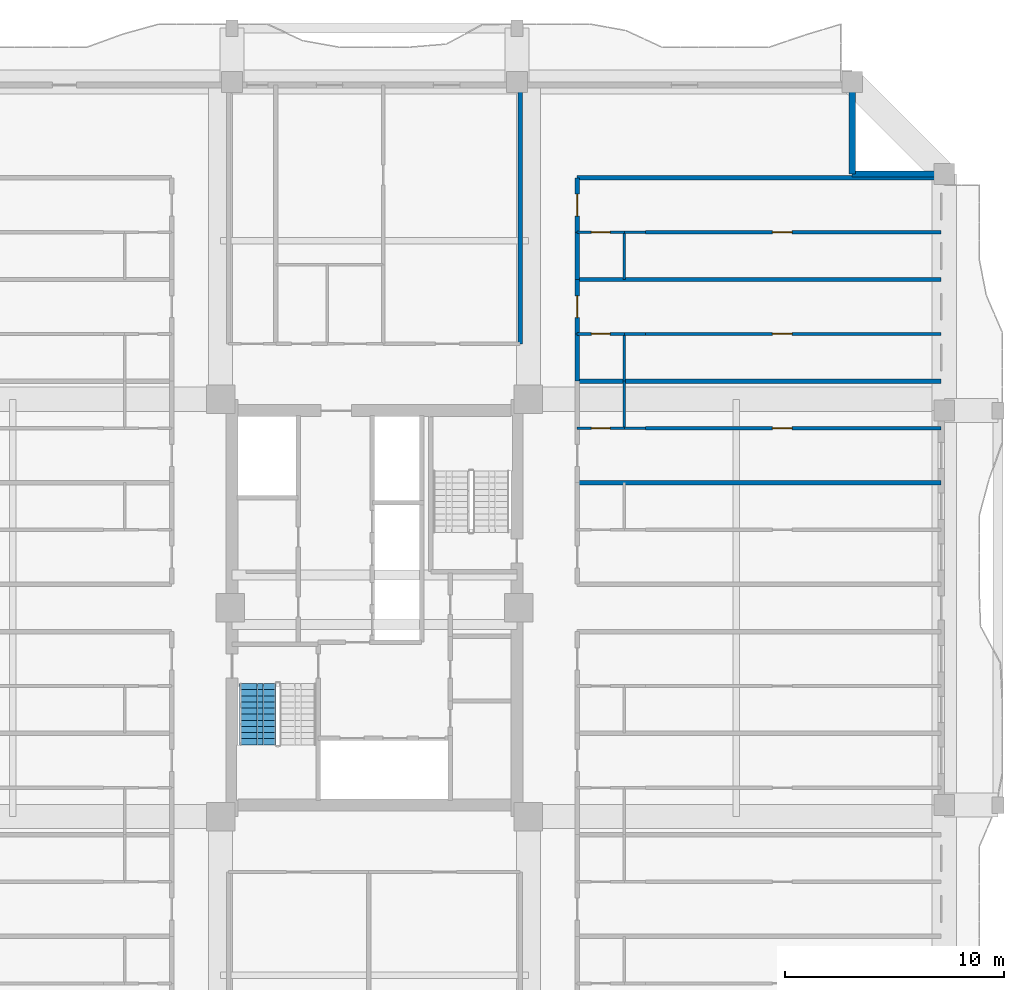
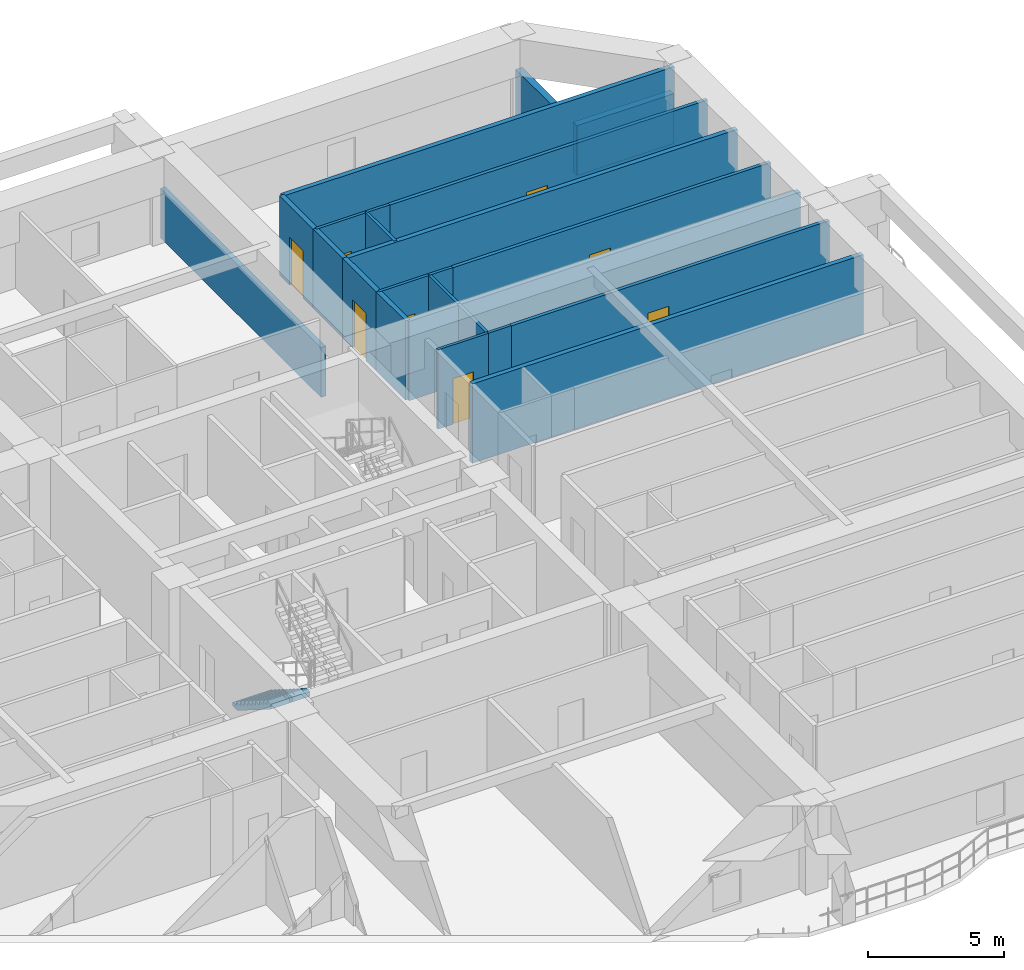
# One storey, part 8 of 13: 23 walls, 8 doors, 1 stair flight, 8 openings, 1 element without a shape of its own.
"""IFC4 building model written with IfcOpenShell, lengths in metres."""

from ifc_helpers import new_model, si_unit, direction, frame, frame_2d, origin, place, context, subcontext, project, spatial, polyline, rectangle, outline, extrude, source, transform, mapped, material, layer, layer_set, type_object, element, fill, aggregate, save


model = new_model("IFC4")

# Units and contexts
model_context = context("Model", 3, precision=1e-05, world=origin(), true_north=direction((0.0, 1.0)))
body_context = subcontext(model_context, "Body", "Model", "MODEL_VIEW")
ifc_project = project(units=[si_unit("LENGTHUNIT", "METRE"), si_unit("AREAUNIT", "SQUARE_METRE"), si_unit("VOLUMEUNIT", "CUBIC_METRE"), si_unit("PLANEANGLEUNIT", "RADIAN"), si_unit("MASSUNIT", "GRAM", prefix="KILO")], contexts=[model_context])

# Site, building, storey
site_placement = place(None, origin())
site = spatial("IfcSite", under=ifc_project, at=site_placement, CompositionType="ELEMENT")
building_placement = place(site_placement, origin())
building = spatial("IfcBuilding", under=site, at=building_placement, Name="Saelheon Loggia Tower", CompositionType="ELEMENT")
storey_placement = place(building_placement, frame((0.0, 0.0, 122.85009765625)))
storey = spatial("IfcBuildingStorey", under=building, at=storey_placement, Name="L39", CompositionType="ELEMENT", Elevation=122.85009765625)

# Walls
ifc_material_1 = material(Name="Architectural Precast Concrete C40/50", Category="concrete")
ifc_layer_1 = layer(ifc_material_1, 0.280029296875)
ifc_layer_set_1 = layer_set([ifc_layer_1], Name="Architectural Precast Concrete C40/50")
wall_type_1 = type_object("IfcWallType", Name="Wall_Ext_Loggia_280", PredefinedType="SOLIDWALL", material=ifc_layer_set_1)
for number, where, z_axis, x_axis, name in (
    (1, (59.800048828125, 46.800048828125, 0.0), (0.0, 0.0, 1.0), (0.0, 1.0, 0.0), "L39 Corner Notch Precast Wall NE1"),
    (2, (59.800048828125, 46.800048828125, 0.0), (0.0, 0.0, 1.0), (1.0, 0.0, 0.0), "L39 Corner Notch Precast Wall NE2"),
):
    element("IfcWall", number, at=place(storey_placement, frame(where, z_axis=z_axis, x_axis=x_axis)), inside=storey, type_object=wall_type_1, Name=name, PredefinedType="SOLIDWALL", context=body_context, shape_type="SweptSolid", body=[
        extrude(rectangle(XDim=4.119873046875, YDim=0.280029296875, at=frame_2d((2.06005859375, 0.0))), origin(), (0.0, 0.0, 1.0), 2.239990234375),
    ])

# Wall, opening, door
ifc_material_2 = material(Name="Lightweight Autoclaved Aerated Concrete Block and Acoustic Gypsum", Category="concrete")
ifc_layer_2 = layer(ifc_material_2, 0.14990234375)
ifc_layer_set_2 = layer_set([ifc_layer_2], Name="Lightweight Autoclaved Aerated Concrete Block and Acoustic Gypsum")
wall_type_2 = type_object("IfcWallType", Name="Wall_Part_150", PredefinedType="PARTITIONING", material=ifc_layer_set_2)
wall_1_placement = place(storey_placement, frame((50.3701171875, 35.199951171875, 0.0), z_axis=(0.0, 0.0, 1.0), x_axis=(1.0, 0.0, 0.0)))
wall_1 = element("IfcWall", 3, at=wall_1_placement, inside=storey, type_object=wall_type_2, Name="L39 EN Partition U15", PredefinedType="PARTITIONING", context=body_context, shape_type="SweptSolid", body=[
    extrude(rectangle(XDim=13.47998046875, YDim=0.14990234375, at=frame_2d((6.739990234375, 0.0))), origin(), (0.0, 0.0, 1.0), 3.559814453125),
])
opening_1_placement = place(wall_1_placement, frame((5.785888671875, 0.0, 0.0)))
opening_1 = element("IfcOpeningElement", 4, at=opening_1_placement, cuts=wall_1, Name="Opening D-IN2", PredefinedType="OPENING", context=body_context, shape_type="SweptSolid", body=[
    extrude(rectangle(XDim=0.89990234375, YDim=2.10009765625, at=frame_2d((0.449951171875, 1.050048828125))), frame((0.0, 0.0869140625, 0.0), z_axis=(0.0, -1.0, 0.0), x_axis=(1.0, 0.0, 0.0)), (0.0, 0.0, 1.0), 0.173828125),
])
ifc_material_3 = material(Name="Engineered Oak Flush Door", Category="timber")
door_type_1 = type_object("IfcDoorType", Name="Door_Int_900", OperationType="NOTDEFINED", PredefinedType="DOOR", material=ifc_material_3)
shared_shape_1 = source(origin(), body_context, "Body", "SweptSolid", [
    extrude(rectangle(XDim=0.89990234375, YDim=2.10009765625, at=frame_2d((0.449951171875, 1.050048828125))), frame((0.0, 0.02490234375, 0.0), z_axis=(0.0, -1.0, 0.0), x_axis=(1.0, 0.0, 0.0)), (0.0, 0.0, 1.0), 0.050048828125),
])
door_1_placement = place(opening_1_placement, origin())
door_1 = element("IfcDoor", 5, at=door_1_placement, inside=storey, type_object=door_type_1, Name="Unit U14 Kitchen Door", OperationType="SINGLE_SWING_LEFT", OverallHeight=2.10009765625, OverallWidth=0.89990234375, PredefinedType="DOOR", context=body_context, shape_type="MappedRepresentation", body=[
    mapped(shared_shape_1, transform((0.0, 0.0, 0.0), scale=1.0)),
])
fill(opening_1, door_1)

wall_2_placement = place(storey_placement, frame((50.3701171875, 39.5, 0.0), z_axis=(0.0, 0.0, 1.0), x_axis=(1.0, 0.0, 0.0)))
wall_2 = element("IfcWall", 6, at=wall_2_placement, inside=storey, type_object=wall_type_2, Name="L39 EN Partition U22", PredefinedType="PARTITIONING", context=body_context, shape_type="SweptSolid", body=[
    extrude(rectangle(XDim=13.47998046875, YDim=0.14990234375, at=frame_2d((6.739990234375, 0.0))), origin(), (0.0, 0.0, 1.0), 3.559814453125),
])
opening_2_placement = place(wall_2_placement, frame((5.785888671875, 0.0, 0.0)))
opening_2 = element("IfcOpeningElement", 7, at=opening_2_placement, cuts=wall_2, Name="Opening D-IN2", PredefinedType="OPENING", context=body_context, shape_type="SweptSolid", body=[
    extrude(rectangle(XDim=0.89990234375, YDim=2.10009765625, at=frame_2d((0.449951171875, 1.050048828125))), frame((0.0, 0.0869140625, 0.0), z_axis=(0.0, -1.0, 0.0), x_axis=(1.0, 0.0, 0.0)), (0.0, 0.0, 1.0), 0.173828125),
])
door_2_placement = place(opening_2_placement, origin())
door_2 = element("IfcDoor", 8, at=door_2_placement, inside=storey, type_object=door_type_1, Name="Unit U15 Kitchen Door", OperationType="SINGLE_SWING_RIGHT", OverallHeight=2.10009765625, OverallWidth=0.89990234375, PredefinedType="DOOR", context=body_context, shape_type="MappedRepresentation", body=[
    mapped(shared_shape_1, transform((0.0, 0.0, 0.0), scale=1.0)),
])
fill(opening_2, door_2)

wall_3_placement = place(storey_placement, frame((50.3701171875, 44.135009765625, 0.0), z_axis=(0.0, 0.0, 1.0), x_axis=(1.0, 0.0, 0.0)))
wall_3 = element("IfcWall", 9, at=wall_3_placement, inside=storey, type_object=wall_type_2, Name="L39 EN Partition U29", PredefinedType="PARTITIONING", context=body_context, shape_type="SweptSolid", body=[
    extrude(rectangle(XDim=13.47998046875, YDim=0.14990234375, at=frame_2d((6.739990234375, 0.0))), origin(), (0.0, 0.0, 1.0), 3.559814453125),
])
opening_3_placement = place(wall_3_placement, frame((5.785888671875, 0.0, 0.0)))
opening_3 = element("IfcOpeningElement", 10, at=opening_3_placement, cuts=wall_3, Name="Opening D-IN2", PredefinedType="OPENING", context=body_context, shape_type="SweptSolid", body=[
    extrude(rectangle(XDim=0.89990234375, YDim=2.10009765625, at=frame_2d((0.449951171875, 1.050048828125))), frame((0.0, 0.0869140625, 0.0), z_axis=(0.0, -1.0, 0.0), x_axis=(1.0, 0.0, 0.0)), (0.0, 0.0, 1.0), 0.173828125),
])
door_3_placement = place(opening_3_placement, origin())
door_3 = element("IfcDoor", 11, at=door_3_placement, inside=storey, type_object=door_type_1, Name="Unit U16 Kitchen Door", OperationType="SINGLE_SWING_LEFT", OverallHeight=2.10009765625, OverallWidth=0.89990234375, PredefinedType="DOOR", context=body_context, shape_type="MappedRepresentation", body=[
    mapped(shared_shape_1, transform((0.0, 0.0, 0.0), scale=1.0)),
])
fill(opening_3, door_3)

# Walls
ifc_material_4 = material(Name="Double Acoustic Stud and Fireboard Partition", Category="gypsum")
ifc_layer_3 = layer(ifc_material_4, 0.199951171875)
ifc_layer_set_3 = layer_set([ifc_layer_3], Name="Double Acoustic Stud and Fireboard Partition")
wall_type_3 = type_object("IfcWallType", Name="Wall_Party_200", PredefinedType="PARTITIONING", material=ifc_layer_set_3)
wall_4_placement = place(storey_placement, frame((44.64990234375, 39.050048828125, 0.0), z_axis=(0.0, 0.0, 1.0), x_axis=(0.0, 1.0, 0.0)))
element("IfcWall", 12, at=wall_4_placement, inside=storey, type_object=wall_type_3, Name="L39 N Partition U02", PredefinedType="PARTITIONING", context=body_context, shape_type="SweptSolid", body=[
    extrude(rectangle(XDim=11.800048828125, YDim=0.199951171875, at=frame_2d((5.89990234375, 0.0))), origin(), (0.0, 0.0, 1.0), 2.239990234375),
])
for number, where, z_axis, x_axis, name in (
    (13, (47.25, 46.6201171875, 0.0), (0.0, 0.0, 1.0), (1.0, 0.0, 0.0), "L39 EN Partition U02"),
    (14, (47.25, 32.715087890625, 0.0), (0.0, 0.0, 1.0), (1.0, 0.0, 0.0), "L39 EN Partition U09"),
    (15, (47.25, 37.35009765625, 0.0), (0.0, 0.0, 1.0), (1.0, 0.0, 0.0), "L39 EN Partition U16"),
):
    element("IfcWall", number, at=place(storey_placement, frame(where, z_axis=z_axis, x_axis=x_axis)), inside=storey, type_object=wall_type_3, Name=name, PredefinedType="PARTITIONING", context=body_context, shape_type="SweptSolid", body=[
        extrude(rectangle(XDim=16.60009765625, YDim=0.199951171875, at=frame_2d((8.300048828125, 0.0))), origin(), (0.0, 0.0, 1.0), 3.559814453125),
    ])
wall_5_placement = place(storey_placement, frame((47.25, 37.35009765625, 0.0), z_axis=(0.0, 0.0, 1.0), x_axis=(0.0, 1.0, 0.0)))
element("IfcWall", 16, at=wall_5_placement, inside=storey, type_object=wall_type_3, Name="L39 EN Partition V17", PredefinedType="PARTITIONING", context=body_context, shape_type="SweptSolid", body=[
    extrude(rectangle(XDim=2.14990234375, YDim=0.199951171875, at=frame_2d((1.074951171875, 0.0))), origin(), (0.0, 0.0, 1.0), 3.559814453125),
])

# Wall, opening, door
wall_6_placement = place(storey_placement, frame((47.25, 39.5, 0.0), z_axis=(0.0, 0.0, 1.0), x_axis=(0.0, 1.0, 0.0)))
wall_6 = element("IfcWall", 17, at=wall_6_placement, inside=storey, type_object=wall_type_3, Name="L39 EN Partition V18", PredefinedType="PARTITIONING", context=body_context, shape_type="SweptSolid", body=[
    extrude(rectangle(XDim=2.485107421875, YDim=0.199951171875, at=frame_2d((1.24267578125, 0.0))), origin(), (0.0, 0.0, 1.0), 3.559814453125),
])
opening_4_placement = place(wall_6_placement, frame((0.742431640625, 0.0, 0.0)))
opening_4 = element("IfcOpeningElement", 18, at=opening_4_placement, cuts=wall_6, Name="Opening D-FD1", PredefinedType="OPENING", context=body_context, shape_type="SweptSolid", body=[
    extrude(rectangle(XDim=1.0, YDim=2.14990234375, at=frame_2d((0.5, 1.074951171875))), frame((0.0, 0.112060546875, 0.0), z_axis=(0.0, -1.0, 0.0), x_axis=(1.0, 0.0, 0.0)), (0.0, 0.0, 1.0), 0.223876953125),
])
ifc_material_5 = material(Name="Fire-Rated Engineered Timber Entrance Door", Category="wood")
door_type_2 = type_object("IfcDoorType", Name="Door_Flat_FD30S", OperationType="NOTDEFINED", PredefinedType="DOOR", material=ifc_material_5)
shared_shape_2 = source(origin(), body_context, "Body", "SweptSolid", [
    extrude(rectangle(XDim=1.0, YDim=2.14990234375, at=frame_2d((0.5, 1.074951171875))), frame((0.0, 0.02490234375, 0.0), z_axis=(0.0, -1.0, 0.0), x_axis=(1.0, 0.0, 0.0)), (0.0, 0.0, 1.0), 0.050048828125),
])
door_4_placement = place(opening_4_placement, origin())
door_4 = element("IfcDoor", 19, at=door_4_placement, inside=storey, type_object=door_type_2, Name="Unit U15 Entrance Door", OperationType="SINGLE_SWING_RIGHT", OverallHeight=2.14990234375, OverallWidth=1.0, PredefinedType="DOOR", context=body_context, shape_type="MappedRepresentation", body=[
    mapped(shared_shape_2, transform((0.0, 0.0, 0.0), scale=1.0)),
])
fill(opening_4, door_4)

# Walls
wall_7_placement = place(storey_placement, frame((47.25, 41.985107421875, 0.0), z_axis=(0.0, 0.0, 1.0), x_axis=(1.0, 0.0, 0.0)))
element("IfcWall", 20, at=wall_7_placement, inside=storey, type_object=wall_type_3, Name="L39 EN Partition U23", PredefinedType="PARTITIONING", context=body_context, shape_type="SweptSolid", body=[
    extrude(rectangle(XDim=16.60009765625, YDim=0.199951171875, at=frame_2d((8.300048828125, 0.0))), origin(), (0.0, 0.0, 1.0), 3.559814453125),
])
wall_8_placement = place(storey_placement, frame((47.25, 41.985107421875, 0.0), z_axis=(0.0, 0.0, 1.0), x_axis=(0.0, 1.0, 0.0)))
element("IfcWall", 21, at=wall_8_placement, inside=storey, type_object=wall_type_3, Name="L39 EN Partition V24", PredefinedType="PARTITIONING", context=body_context, shape_type="SweptSolid", body=[
    extrude(rectangle(XDim=2.14990234375, YDim=0.199951171875, at=frame_2d((1.074951171875, 0.0))), origin(), (0.0, 0.0, 1.0), 3.559814453125),
])

# Wall, opening, door
wall_9_placement = place(storey_placement, frame((47.25, 44.135009765625, 0.0), z_axis=(0.0, 0.0, 1.0), x_axis=(0.0, 1.0, 0.0)))
wall_9 = element("IfcWall", 22, at=wall_9_placement, inside=storey, type_object=wall_type_3, Name="L39 EN Partition V25", PredefinedType="PARTITIONING", context=body_context, shape_type="SweptSolid", body=[
    extrude(rectangle(XDim=2.485107421875, YDim=0.199951171875, at=frame_2d((1.24267578125, 0.0))), origin(), (0.0, 0.0, 1.0), 3.559814453125),
])
opening_5_placement = place(wall_9_placement, frame((0.742431640625, 0.0, 0.0)))
opening_5 = element("IfcOpeningElement", 23, at=opening_5_placement, cuts=wall_9, Name="Opening D-FD1", PredefinedType="OPENING", context=body_context, shape_type="SweptSolid", body=[
    extrude(rectangle(XDim=1.0, YDim=2.14990234375, at=frame_2d((0.5, 1.074951171875))), frame((0.0, 0.112060546875, 0.0), z_axis=(0.0, -1.0, 0.0), x_axis=(1.0, 0.0, 0.0)), (0.0, 0.0, 1.0), 0.223876953125),
])
door_5_placement = place(opening_5_placement, origin())
door_5 = element("IfcDoor", 24, at=door_5_placement, inside=storey, type_object=door_type_2, Name="Unit U16 Entrance Door", OperationType="SINGLE_SWING_LEFT", OverallHeight=2.14990234375, OverallWidth=1.0, PredefinedType="DOOR", context=body_context, shape_type="MappedRepresentation", body=[
    mapped(shared_shape_2, transform((0.0, 0.0, 0.0), scale=1.0)),
])
fill(opening_5, door_5)

ifc_material_6 = material(Name="Moisture-Resistant Cement Board Partition", Category="gypsum")
ifc_layer_4 = layer(ifc_material_6, 0.1201171875)
ifc_layer_set_4 = layer_set([ifc_layer_4], Name="Moisture-Resistant Cement Board Partition")
wall_type_4 = type_object("IfcWallType", Name="Wall_WetPart_120", PredefinedType="PARTITIONING", material=ifc_layer_set_4)
wall_10_placement = place(storey_placement, frame((47.25, 35.199951171875, 0.0), z_axis=(0.0, 0.0, 1.0), x_axis=(1.0, 0.0, 0.0)))
wall_10 = element("IfcWall", 25, at=wall_10_placement, inside=storey, type_object=wall_type_4, Name="L39 EN Partition U12", PredefinedType="PARTITIONING", context=body_context, shape_type="SweptSolid", body=[
    extrude(rectangle(XDim=2.14990234375, YDim=0.1201171875, at=frame_2d((1.074951171875, 0.0))), origin(), (0.0, 0.0, 1.0), 3.559814453125),
])
opening_6_placement = place(wall_10_placement, frame((0.64990234375, 0.0, 0.0)))
opening_6 = element("IfcOpeningElement", 26, at=opening_6_placement, cuts=wall_10, Name="Opening D-BT1", PredefinedType="OPENING", context=body_context, shape_type="SweptSolid", body=[
    extrude(rectangle(XDim=0.85009765625, YDim=2.050048828125, at=frame_2d((0.425048828125, 1.02490234375))), frame((0.0, 0.072021484375, 0.0), z_axis=(0.0, -1.0, 0.0), x_axis=(1.0, 0.0, 0.0)), (0.0, 0.0, 1.0), 0.14404296875),
])
ifc_material_7 = material(Name="Moisture-Resistant Laminate Timber Door", Category="wood")
door_type_3 = type_object("IfcDoorType", Name="Door_Bath_850", OperationType="NOTDEFINED", PredefinedType="DOOR", material=ifc_material_7)
shared_shape_3 = source(origin(), body_context, "Body", "SweptSolid", [
    extrude(rectangle(XDim=0.85009765625, YDim=2.050048828125, at=frame_2d((0.425048828125, 1.02490234375))), frame((0.0, 0.02490234375, 0.0), z_axis=(0.0, -1.0, 0.0), x_axis=(1.0, 0.0, 0.0)), (0.0, 0.0, 1.0), 0.050048828125),
])
door_6_placement = place(opening_6_placement, origin())
door_6 = element("IfcDoor", 27, at=door_6_placement, inside=storey, type_object=door_type_3, Name="Unit U14 Bathroom Door", OperationType="SINGLE_SWING_RIGHT", OverallHeight=2.050048828125, OverallWidth=0.85009765625, PredefinedType="DOOR", context=body_context, shape_type="MappedRepresentation", body=[
    mapped(shared_shape_3, transform((0.0, 0.0, 0.0), scale=1.0)),
])
fill(opening_6, door_6)

# Walls
wall_11_placement = place(storey_placement, frame((49.39990234375, 35.199951171875, 0.0), z_axis=(0.0, 0.0, 1.0), x_axis=(1.0, 0.0, 0.0)))
element("IfcWall", 28, at=wall_11_placement, inside=storey, type_object=wall_type_4, Name="L39 EN Partition U13", PredefinedType="PARTITIONING", context=body_context, shape_type="SweptSolid", body=[
    extrude(rectangle(XDim=0.97021484375, YDim=0.1201171875, at=frame_2d((0.485107421875, 0.0))), origin(), (0.0, 0.0, 1.0), 3.559814453125),
])
wall_12_placement = place(storey_placement, frame((49.39990234375, 35.199951171875, 0.0), z_axis=(0.0, 0.0, 1.0), x_axis=(0.0, 1.0, 0.0)))
element("IfcWall", 29, at=wall_12_placement, inside=storey, type_object=wall_type_4, Name="L39 EN Partition V14", PredefinedType="PARTITIONING", context=body_context, shape_type="SweptSolid", body=[
    extrude(rectangle(XDim=2.150146484375, YDim=0.1201171875, at=frame_2d((1.0751953125, 0.0))), origin(), (0.0, 0.0, 1.0), 3.559814453125),
])

# Wall, opening, door
wall_13_placement = place(storey_placement, frame((47.25, 39.5, 0.0), z_axis=(0.0, 0.0, 1.0), x_axis=(1.0, 0.0, 0.0)))
wall_13 = element("IfcWall", 30, at=wall_13_placement, inside=storey, type_object=wall_type_4, Name="L39 EN Partition U19", PredefinedType="PARTITIONING", context=body_context, shape_type="SweptSolid", body=[
    extrude(rectangle(XDim=2.14990234375, YDim=0.1201171875, at=frame_2d((1.074951171875, 0.0))), origin(), (0.0, 0.0, 1.0), 3.559814453125),
])
opening_7_placement = place(wall_13_placement, frame((0.64990234375, 0.0, 0.0)))
opening_7 = element("IfcOpeningElement", 31, at=opening_7_placement, cuts=wall_13, Name="Opening D-BT1", PredefinedType="OPENING", context=body_context, shape_type="SweptSolid", body=[
    extrude(rectangle(XDim=0.85009765625, YDim=2.050048828125, at=frame_2d((0.425048828125, 1.02490234375))), frame((0.0, 0.072021484375, 0.0), z_axis=(0.0, -1.0, 0.0), x_axis=(1.0, 0.0, 0.0)), (0.0, 0.0, 1.0), 0.14404296875),
])
door_7_placement = place(opening_7_placement, origin())
door_7 = element("IfcDoor", 32, at=door_7_placement, inside=storey, type_object=door_type_3, Name="Unit U15 Bathroom Door", OperationType="SINGLE_SWING_LEFT", OverallHeight=2.050048828125, OverallWidth=0.85009765625, PredefinedType="DOOR", context=body_context, shape_type="MappedRepresentation", body=[
    mapped(shared_shape_3, transform((0.0, 0.0, 0.0), scale=1.0)),
])
fill(opening_7, door_7)

# Walls
wall_14_placement = place(storey_placement, frame((49.39990234375, 39.5, 0.0), z_axis=(0.0, 0.0, 1.0), x_axis=(1.0, 0.0, 0.0)))
element("IfcWall", 33, at=wall_14_placement, inside=storey, type_object=wall_type_4, Name="L39 EN Partition U20", PredefinedType="PARTITIONING", context=body_context, shape_type="SweptSolid", body=[
    extrude(rectangle(XDim=0.97021484375, YDim=0.1201171875, at=frame_2d((0.485107421875, 0.0))), origin(), (0.0, 0.0, 1.0), 3.559814453125),
])
wall_15_placement = place(storey_placement, frame((49.39990234375, 37.35009765625, 0.0), z_axis=(0.0, 0.0, 1.0), x_axis=(0.0, 1.0, 0.0)))
element("IfcWall", 34, at=wall_15_placement, inside=storey, type_object=wall_type_4, Name="L39 EN Partition V21", PredefinedType="PARTITIONING", context=body_context, shape_type="SweptSolid", body=[
    extrude(rectangle(XDim=2.14990234375, YDim=0.1201171875, at=frame_2d((1.074951171875, 0.0))), origin(), (0.0, 0.0, 1.0), 3.559814453125),
])

# Wall, opening, door
wall_16_placement = place(storey_placement, frame((47.25, 44.135009765625, 0.0), z_axis=(0.0, 0.0, 1.0), x_axis=(1.0, 0.0, 0.0)))
wall_16 = element("IfcWall", 35, at=wall_16_placement, inside=storey, type_object=wall_type_4, Name="L39 EN Partition U26", PredefinedType="PARTITIONING", context=body_context, shape_type="SweptSolid", body=[
    extrude(rectangle(XDim=2.14990234375, YDim=0.1201171875, at=frame_2d((1.074951171875, 0.0))), origin(), (0.0, 0.0, 1.0), 3.559814453125),
])
opening_8_placement = place(wall_16_placement, frame((0.64990234375, 0.0, 0.0)))
opening_8 = element("IfcOpeningElement", 36, at=opening_8_placement, cuts=wall_16, Name="Opening D-BT1", PredefinedType="OPENING", context=body_context, shape_type="SweptSolid", body=[
    extrude(rectangle(XDim=0.85009765625, YDim=2.050048828125, at=frame_2d((0.425048828125, 1.02490234375))), frame((0.0, 0.072021484375, 0.0), z_axis=(0.0, -1.0, 0.0), x_axis=(1.0, 0.0, 0.0)), (0.0, 0.0, 1.0), 0.14404296875),
])
door_8_placement = place(opening_8_placement, origin())
door_8 = element("IfcDoor", 37, at=door_8_placement, inside=storey, type_object=door_type_3, Name="Unit U16 Bathroom Door", OperationType="SINGLE_SWING_RIGHT", OverallHeight=2.050048828125, OverallWidth=0.85009765625, PredefinedType="DOOR", context=body_context, shape_type="MappedRepresentation", body=[
    mapped(shared_shape_3, transform((0.0, 0.0, 0.0), scale=1.0)),
])
fill(opening_8, door_8)

# Walls
wall_17_placement = place(storey_placement, frame((49.39990234375, 44.135009765625, 0.0), z_axis=(0.0, 0.0, 1.0), x_axis=(1.0, 0.0, 0.0)))
element("IfcWall", 38, at=wall_17_placement, inside=storey, type_object=wall_type_4, Name="L39 EN Partition U27", PredefinedType="PARTITIONING", context=body_context, shape_type="SweptSolid", body=[
    extrude(rectangle(XDim=0.97021484375, YDim=0.1201171875, at=frame_2d((0.485107421875, 0.0))), origin(), (0.0, 0.0, 1.0), 3.559814453125),
])
wall_18_placement = place(storey_placement, frame((49.39990234375, 41.985107421875, 0.0), z_axis=(0.0, 0.0, 1.0), x_axis=(0.0, 1.0, 0.0)))
element("IfcWall", 39, at=wall_18_placement, inside=storey, type_object=wall_type_4, Name="L39 EN Partition V28", PredefinedType="PARTITIONING", context=body_context, shape_type="SweptSolid", body=[
    extrude(rectangle(XDim=2.14990234375, YDim=0.1201171875, at=frame_2d((1.074951171875, 0.0))), origin(), (0.0, 0.0, 1.0), 3.559814453125),
])

# Stair, stair flight
ifc_material_8 = material(Name="Concrete C40/50", Category="concrete")
stair_type = type_object("IfcStairType", Name="Stair_Escape_Core", PredefinedType="HALF_TURN_STAIR", material=ifc_material_8)
stair_placement = place(storey_placement, origin())
stair = element("IfcStair", 40, at=stair_placement, inside=storey, type_object=stair_type, Name="L39 Special Escape Stair ST1", PredefinedType="HALF_TURN_STAIR")
stair_flight_type = type_object("IfcStairFlightType", Name="StairFlight_Tower_1660", PredefinedType="STRAIGHT", material=ifc_material_8)
stair_flight_placement = place(storey_placement, frame((32.679931640625, 23.550048828125, 0.0), z_axis=(0.0, 0.0, 1.0), x_axis=(0.0, -1.0, 0.0)))
stair_flight = element("IfcStairFlight", 41, at=stair_flight_placement, type_object=stair_flight_type, Name="ST1 flight 1", NumberOfRisers=11, NumberOfTreads=10, PredefinedType="STRAIGHT", RiserHeight=0.177272727, TreadLength=0.28, context=body_context, shape_type="SweptSolid", body=[
    extrude(outline(polyline([(0.0, 0.0), (0.0, 0.17724609375), (0.280029296875, 0.17724609375), (0.280029296875, 0.3544921875), (0.56005859375, 0.3544921875), (0.56005859375, 0.53173828125), (0.840087890625, 0.53173828125), (0.840087890625, 0.708984375), (1.1201171875, 0.708984375), (1.1201171875, 0.886474609375), (1.39990234375, 0.886474609375), (1.39990234375, 1.063720703125), (1.679931640625, 1.063720703125), (1.679931640625, 1.240966796875), (1.9599609375, 1.240966796875), (1.9599609375, 1.418212890625), (2.239990234375, 1.418212890625), (2.239990234375, 1.595458984375), (2.52001953125, 1.595458984375), (2.52001953125, 1.772705078125), (2.800048828125, 1.772705078125), (2.800048828125, 1.949951171875), (2.800048828125, 1.559814453125), (0.33642578125, 0.0), (0.0, 0.0)])), frame((0.0, -0.2490234375, 0.0), z_axis=(0.0, -1.0, 0.0), x_axis=(1.0, 0.0, 0.0)), (0.0, 0.0, 1.0), 0.5810546875),
    extrude(outline(polyline([(0.0, 0.0), (0.0, 0.17724609375), (0.280029296875, 0.17724609375), (0.280029296875, 0.3544921875), (0.56005859375, 0.3544921875), (0.56005859375, 0.53173828125), (0.840087890625, 0.53173828125), (0.840087890625, 0.708984375), (1.1201171875, 0.708984375), (1.1201171875, 0.886474609375), (1.39990234375, 0.886474609375), (1.39990234375, 1.063720703125), (1.679931640625, 1.063720703125), (1.679931640625, 1.240966796875), (1.9599609375, 1.240966796875), (1.9599609375, 1.418212890625), (2.239990234375, 1.418212890625), (2.239990234375, 1.595458984375), (2.52001953125, 1.595458984375), (2.52001953125, 1.772705078125), (2.800048828125, 1.772705078125), (2.800048828125, 1.949951171875), (2.800048828125, 1.559814453125), (0.33642578125, 0.0), (0.0, 0.0)])), frame((0.0, -0.194091796875, 0.0), z_axis=(0.0, -1.0, 0.0), x_axis=(1.0, 0.0, 0.0)), (0.0, 0.0, 1.0), 0.0498046875),
    extrude(outline(polyline([(0.0, 0.0), (0.0, 0.17724609375), (0.280029296875, 0.17724609375), (0.280029296875, 0.3544921875), (0.56005859375, 0.3544921875), (0.56005859375, 0.53173828125), (0.840087890625, 0.53173828125), (0.840087890625, 0.708984375), (1.1201171875, 0.708984375), (1.1201171875, 0.886474609375), (1.39990234375, 0.886474609375), (1.39990234375, 1.063720703125), (1.679931640625, 1.063720703125), (1.679931640625, 1.240966796875), (1.9599609375, 1.240966796875), (1.9599609375, 1.418212890625), (2.239990234375, 1.418212890625), (2.239990234375, 1.595458984375), (2.52001953125, 1.595458984375), (2.52001953125, 1.772705078125), (2.800048828125, 1.772705078125), (2.800048828125, 1.949951171875), (2.800048828125, 1.559814453125), (0.33642578125, 0.0), (0.0, 0.0)])), frame((0.0, -0.139404296875, 0.0), z_axis=(0.0, -1.0, 0.0), x_axis=(1.0, 0.0, 0.0)), (0.0, 0.0, 1.0), 0.0498046875),
    extrude(outline(polyline([(0.0, 0.0), (0.0, 0.17724609375), (0.280029296875, 0.17724609375), (0.280029296875, 0.3544921875), (0.56005859375, 0.3544921875), (0.56005859375, 0.53173828125), (0.840087890625, 0.53173828125), (0.840087890625, 0.708984375), (1.1201171875, 0.708984375), (1.1201171875, 0.886474609375), (1.39990234375, 0.886474609375), (1.39990234375, 1.063720703125), (1.679931640625, 1.063720703125), (1.679931640625, 1.240966796875), (1.9599609375, 1.240966796875), (1.9599609375, 1.418212890625), (2.239990234375, 1.418212890625), (2.239990234375, 1.595458984375), (2.52001953125, 1.595458984375), (2.52001953125, 1.772705078125), (2.800048828125, 1.772705078125), (2.800048828125, 1.949951171875), (2.800048828125, 1.559814453125), (0.33642578125, 0.0), (0.0, 0.0)])), frame((0.0, -0.084716796875, 0.0), z_axis=(0.0, -1.0, 0.0), x_axis=(1.0, 0.0, 0.0)), (0.0, 0.0, 1.0), 0.0498046875),
    extrude(outline(polyline([(0.0, 0.0), (0.0, 0.17724609375), (0.280029296875, 0.17724609375), (0.280029296875, 0.3544921875), (0.56005859375, 0.3544921875), (0.56005859375, 0.53173828125), (0.840087890625, 0.53173828125), (0.840087890625, 0.708984375), (1.1201171875, 0.708984375), (1.1201171875, 0.886474609375), (1.39990234375, 0.886474609375), (1.39990234375, 1.063720703125), (1.679931640625, 1.063720703125), (1.679931640625, 1.240966796875), (1.9599609375, 1.240966796875), (1.9599609375, 1.418212890625), (2.239990234375, 1.418212890625), (2.239990234375, 1.595458984375), (2.52001953125, 1.595458984375), (2.52001953125, 1.772705078125), (2.800048828125, 1.772705078125), (2.800048828125, 1.949951171875), (2.800048828125, 1.559814453125), (0.33642578125, 0.0), (0.0, 0.0)])), frame((0.0, -0.02978515625, 0.0), z_axis=(0.0, -1.0, 0.0), x_axis=(1.0, 0.0, 0.0)), (0.0, 0.0, 1.0), 0.0498046875),
    extrude(outline(polyline([(0.0, 0.0), (0.0, 0.17724609375), (0.280029296875, 0.17724609375), (0.280029296875, 0.3544921875), (0.56005859375, 0.3544921875), (0.56005859375, 0.53173828125), (0.840087890625, 0.53173828125), (0.840087890625, 0.708984375), (1.1201171875, 0.708984375), (1.1201171875, 0.886474609375), (1.39990234375, 0.886474609375), (1.39990234375, 1.063720703125), (1.679931640625, 1.063720703125), (1.679931640625, 1.240966796875), (1.9599609375, 1.240966796875), (1.9599609375, 1.418212890625), (2.239990234375, 1.418212890625), (2.239990234375, 1.595458984375), (2.52001953125, 1.595458984375), (2.52001953125, 1.772705078125), (2.800048828125, 1.772705078125), (2.800048828125, 1.949951171875), (2.800048828125, 1.559814453125), (0.33642578125, 0.0), (0.0, 0.0)])), frame((0.0, 0.02490234375, 0.0), z_axis=(0.0, -1.0, 0.0), x_axis=(1.0, 0.0, 0.0)), (0.0, 0.0, 1.0), 0.0498046875),
    extrude(outline(polyline([(0.0, 0.0), (0.0, 0.17724609375), (0.280029296875, 0.17724609375), (0.280029296875, 0.3544921875), (0.56005859375, 0.3544921875), (0.56005859375, 0.53173828125), (0.840087890625, 0.53173828125), (0.840087890625, 0.708984375), (1.1201171875, 0.708984375), (1.1201171875, 0.886474609375), (1.39990234375, 0.886474609375), (1.39990234375, 1.063720703125), (1.679931640625, 1.063720703125), (1.679931640625, 1.240966796875), (1.9599609375, 1.240966796875), (1.9599609375, 1.418212890625), (2.239990234375, 1.418212890625), (2.239990234375, 1.595458984375), (2.52001953125, 1.595458984375), (2.52001953125, 1.772705078125), (2.800048828125, 1.772705078125), (2.800048828125, 1.949951171875), (2.800048828125, 1.559814453125), (0.33642578125, 0.0), (0.0, 0.0)])), frame((0.0, 0.07958984375, 0.0), z_axis=(0.0, -1.0, 0.0), x_axis=(1.0, 0.0, 0.0)), (0.0, 0.0, 1.0), 0.0498046875),
    extrude(outline(polyline([(0.0, 0.0), (0.0, 0.17724609375), (0.280029296875, 0.17724609375), (0.280029296875, 0.3544921875), (0.56005859375, 0.3544921875), (0.56005859375, 0.53173828125), (0.840087890625, 0.53173828125), (0.840087890625, 0.708984375), (1.1201171875, 0.708984375), (1.1201171875, 0.886474609375), (1.39990234375, 0.886474609375), (1.39990234375, 1.063720703125), (1.679931640625, 1.063720703125), (1.679931640625, 1.240966796875), (1.9599609375, 1.240966796875), (1.9599609375, 1.418212890625), (2.239990234375, 1.418212890625), (2.239990234375, 1.595458984375), (2.52001953125, 1.595458984375), (2.52001953125, 1.772705078125), (2.800048828125, 1.772705078125), (2.800048828125, 1.949951171875), (2.800048828125, 1.559814453125), (0.33642578125, 0.0), (0.0, 0.0)])), frame((0.0, 0.134521484375, 0.0), z_axis=(0.0, -1.0, 0.0), x_axis=(1.0, 0.0, 0.0)), (0.0, 0.0, 1.0), 0.0498046875),
    extrude(outline(polyline([(0.0, 0.0), (0.0, 0.17724609375), (0.280029296875, 0.17724609375), (0.280029296875, 0.3544921875), (0.56005859375, 0.3544921875), (0.56005859375, 0.53173828125), (0.840087890625, 0.53173828125), (0.840087890625, 0.708984375), (1.1201171875, 0.708984375), (1.1201171875, 0.886474609375), (1.39990234375, 0.886474609375), (1.39990234375, 1.063720703125), (1.679931640625, 1.063720703125), (1.679931640625, 1.240966796875), (1.9599609375, 1.240966796875), (1.9599609375, 1.418212890625), (2.239990234375, 1.418212890625), (2.239990234375, 1.595458984375), (2.52001953125, 1.595458984375), (2.52001953125, 1.772705078125), (2.800048828125, 1.772705078125), (2.800048828125, 1.949951171875), (2.800048828125, 1.559814453125), (0.33642578125, 0.0), (0.0, 0.0)])), frame((0.0, 0.189208984375, 0.0), z_axis=(0.0, -1.0, 0.0), x_axis=(1.0, 0.0, 0.0)), (0.0, 0.0, 1.0), 0.0498046875),
    extrude(outline(polyline([(0.0, 0.0), (0.0, 0.17724609375), (0.280029296875, 0.17724609375), (0.280029296875, 0.3544921875), (0.56005859375, 0.3544921875), (0.56005859375, 0.53173828125), (0.840087890625, 0.53173828125), (0.840087890625, 0.708984375), (1.1201171875, 0.708984375), (1.1201171875, 0.886474609375), (1.39990234375, 0.886474609375), (1.39990234375, 1.063720703125), (1.679931640625, 1.063720703125), (1.679931640625, 1.240966796875), (1.9599609375, 1.240966796875), (1.9599609375, 1.418212890625), (2.239990234375, 1.418212890625), (2.239990234375, 1.595458984375), (2.52001953125, 1.595458984375), (2.52001953125, 1.772705078125), (2.800048828125, 1.772705078125), (2.800048828125, 1.949951171875), (2.800048828125, 1.559814453125), (0.33642578125, 0.0), (0.0, 0.0)])), frame((0.0, 0.243896484375, 0.0), z_axis=(0.0, -1.0, 0.0), x_axis=(1.0, 0.0, 0.0)), (0.0, 0.0, 1.0), 0.0498046875),
    extrude(outline(polyline([(0.0, 0.0), (0.0, 0.17724609375), (0.280029296875, 0.17724609375), (0.280029296875, 0.3544921875), (0.56005859375, 0.3544921875), (0.56005859375, 0.53173828125), (0.840087890625, 0.53173828125), (0.840087890625, 0.708984375), (1.1201171875, 0.708984375), (1.1201171875, 0.886474609375), (1.39990234375, 0.886474609375), (1.39990234375, 1.063720703125), (1.679931640625, 1.063720703125), (1.679931640625, 1.240966796875), (1.9599609375, 1.240966796875), (1.9599609375, 1.418212890625), (2.239990234375, 1.418212890625), (2.239990234375, 1.595458984375), (2.52001953125, 1.595458984375), (2.52001953125, 1.772705078125), (2.800048828125, 1.772705078125), (2.800048828125, 1.949951171875), (2.800048828125, 1.559814453125), (0.33642578125, 0.0), (0.0, 0.0)])), frame((0.0, 0.830078125, 0.0), z_axis=(0.0, -1.0, 0.0), x_axis=(1.0, 0.0, 0.0)), (0.0, 0.0, 1.0), 0.5810546875),
])
aggregate(stair, [stair_flight])

save(model, "model.ifc")
